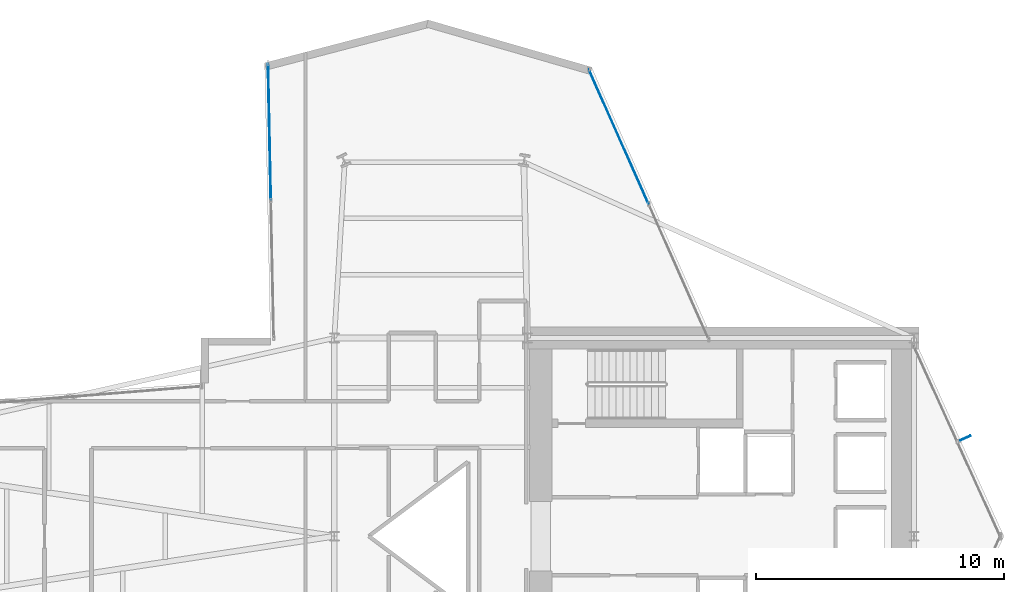
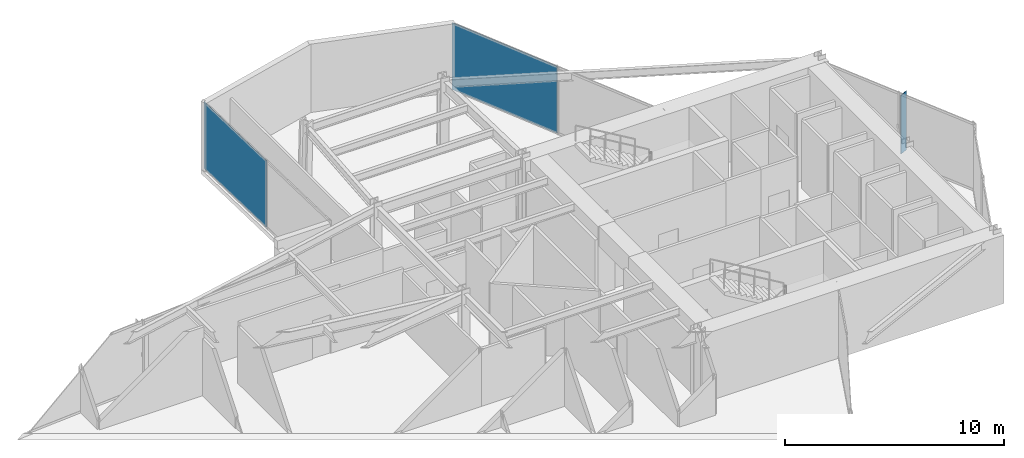
# One storey, part 20 of 24: 3 plates, 2 elements without a shape of their own.
"""IFC4 building model written with IfcOpenShell, lengths in metres."""

from ifc_helpers import new_model, si_unit, direction, frame, origin, origin_2d, place, context, subcontext, project, spatial, rectangle, extrude, material, layer, layer_set, type_object, element, aggregate, save


model = new_model("IFC4")

# Units and contexts
model_context = context("Model", 3, precision=1e-05, world=origin(), true_north=direction((0.0, 1.0)))
body_context = subcontext(model_context, "Body", "Model", "MODEL_VIEW")
ifc_project = project(units=[si_unit("LENGTHUNIT", "METRE"), si_unit("AREAUNIT", "SQUARE_METRE"), si_unit("VOLUMEUNIT", "CUBIC_METRE"), si_unit("PLANEANGLEUNIT", "RADIAN"), si_unit("MASSUNIT", "GRAM", prefix="KILO")], contexts=[model_context])

# Site, building, storey
site_placement = place(None, origin())
site = spatial("IfcSite", under=ifc_project, at=site_placement, CompositionType="ELEMENT")
building_placement = place(site_placement, origin())
building = spatial("IfcBuilding", under=site, at=building_placement, Name="Veymaron Broadcast Tower", CompositionType="ELEMENT")
storey_placement = place(building_placement, frame((0.0, 0.0, 98.550048828125)))
storey = spatial("IfcBuildingStorey", under=building, at=storey_placement, Name="L22", CompositionType="ELEMENT", Elevation=98.550048828125)

# Curtain wall, plate
ifc_material_1 = material(Name="Anodised aluminium AA 6063-T6 and laminated low-E dark glass", Category="aluminium")
ifc_layer_1 = layer(ifc_material_1, 0.179931640625)
ifc_layer_set_1 = layer_set([ifc_layer_1], Name="Anodised aluminium AA 6063-T6 and laminated low-E dark glass")
curtain_wall_type = type_object("IfcCurtainWallType", Name="CW-SYS-02", PredefinedType="NOTDEFINED", material=ifc_layer_set_1)
curtain_wall_1_placement = place(storey_placement, origin())
curtain_wall_1 = element("IfcCurtainWall", 1, at=curtain_wall_1_placement, inside=storey, type_object=curtain_wall_type, Name="L22 dark-glass curtain wall CW-L22-E5-1", PredefinedType="NOTDEFINED")
ifc_material_2 = material(Name="Double-silver solar-control dark glass IGU 32 mm", Category="glass")
ifc_layer_2 = layer(ifc_material_2, 0.031982421875)
ifc_layer_set_2 = layer_set([ifc_layer_2], Name="Double-silver solar-control dark glass IGU 32 mm")
plate_type_1 = type_object("IfcPlateType", Name="CW-PNL-02", PredefinedType="CURTAIN_PANEL", material=ifc_layer_set_2)
plate_1_placement = place(storey_placement, frame((42.67724609375, 40.1376953125, 0.0400390625), z_axis=(0.0, 0.0, 1.0), x_axis=(-0.405907368121, 0.913914223823, 0.0)))
plate_1 = element("IfcPlate", 2, at=plate_1_placement, type_object=plate_type_1, Name="CW-L22-E5-1 unitised curtain panel 1", PredefinedType="CURTAIN_PANEL", context=body_context, shape_type="SweptSolid", body=[
    extrude(rectangle(XDim=5.91748046875, YDim=0.031982421875, at=origin_2d()), origin(), (0.0, 0.0, 1.0), 3.72998046875),
])
aggregate(curtain_wall_1, [plate_1])

curtain_wall_2_placement = place(storey_placement, origin())
curtain_wall_2 = element("IfcCurtainWall", 3, at=curtain_wall_2_placement, inside=storey, type_object=curtain_wall_type, Name="L22 dark-glass curtain wall CW-L22-E8-1", PredefinedType="NOTDEFINED")
plate_2_placement = place(storey_placement, frame((28.58349609375, 40.3271484375, 0.0400390625), z_axis=(0.0, 0.0, 1.0), x_axis=(0.020680677198, -0.999786131926, 0.0)))
plate_2 = element("IfcPlate", 4, at=plate_2_placement, type_object=plate_type_1, Name="CW-L22-E8-1 unitised curtain panel 0", PredefinedType="CURTAIN_PANEL", context=body_context, shape_type="SweptSolid", body=[
    extrude(rectangle(XDim=5.49072265625, YDim=0.031982421875, at=origin_2d()), origin(), (0.0, 0.0, 1.0), 3.72998046875),
])
aggregate(curtain_wall_2, [plate_2])

# Plate
ifc_material_3 = material(Name="Dark-anodised aluminium AA 6061-T6", Category="aluminium")
ifc_layer_3 = layer(ifc_material_3, 0.034912109375)
ifc_layer_set_3 = layer_set([ifc_layer_3], Name="Dark-anodised aluminium AA 6061-T6")
plate_type_2 = type_object("IfcPlateType", Name="FIN-CHEV-01", PredefinedType="USERDEFINED", material=ifc_layer_set_3)
plate_3_placement = place(storey_placement, frame((56.670654296875, 27.960205078125, 0.2666015625), z_axis=(0.0, 0.0, 1.0), x_axis=(0.910510540138, 0.413485859852, 0.0)))
element("IfcPlate", 5, at=plate_3_placement, inside=storey, type_object=plate_type_2, Name="CW-L22-E3-1 chevron fin 1", ObjectType="FIN", PredefinedType="USERDEFINED", context=body_context, shape_type="SweptSolid", body=[
    extrude(rectangle(XDim=0.449951171875, YDim=0.034912109375, at=origin_2d()), origin(), (0.0, 0.0, 1.0), 3.276611328125),
])

save(model, "model.ifc")
